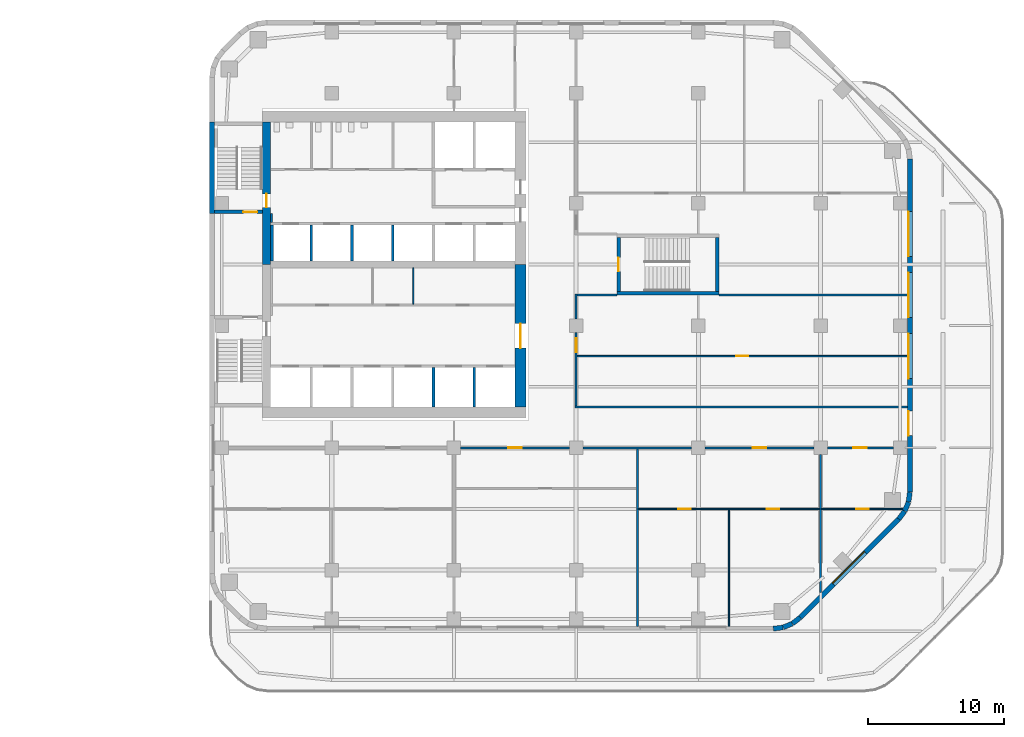
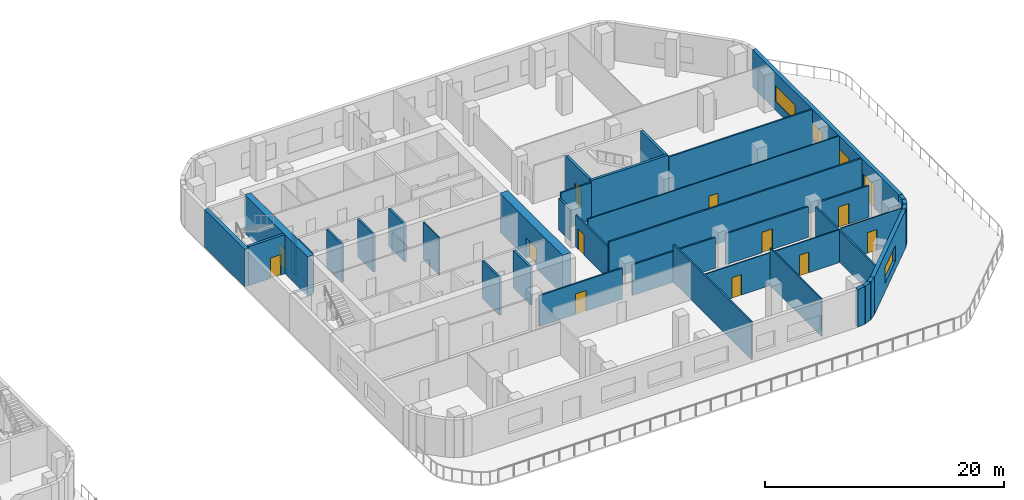
# One storey, part 9 of 15: 38 walls, 13 doors, 4 windows, 17 openings.
"""IFC4 building model written with IfcOpenShell, lengths in metres."""

from ifc_helpers import new_model, si_unit, direction, frame, frame_2d, origin, place, context, subcontext, project, spatial, rectangle, extrude, material, layer, layer_set, type_object, element, fill, save


model = new_model("IFC4")

# Units and contexts
model_context = context("Model", 3, precision=1e-05, world=origin(), true_north=direction((0.0, 1.0)))
body_context = subcontext(model_context, "Body", "Model", "MODEL_VIEW")
ifc_project = project(units=[si_unit("LENGTHUNIT", "METRE"), si_unit("AREAUNIT", "SQUARE_METRE"), si_unit("VOLUMEUNIT", "CUBIC_METRE"), si_unit("PLANEANGLEUNIT", "RADIAN"), si_unit("MASSUNIT", "GRAM", prefix="KILO")], contexts=[model_context])

# Site, building, storey
site_placement = place(None, origin())
site = spatial("IfcSite", under=ifc_project, at=site_placement, CompositionType="ELEMENT")
building_placement = place(site_placement, origin())
building = spatial("IfcBuilding", under=site, at=building_placement, Name="Cinnabar Reach Civic Tower", CompositionType="ELEMENT")
storey_placement = place(building_placement, frame((0.0, 0.0, 100.0)))
storey = spatial("IfcBuildingStorey", under=building, at=storey_placement, Name="L23", CompositionType="ELEMENT", Elevation=100.0)

# Walls
ifc_material_1 = material(Name="Facing brick with insulated backing", Category="masonry")
ifc_layer_1 = layer(ifc_material_1, 0.36)
ifc_layer_set_1 = layer_set([ifc_layer_1], Name="Brick corner wall")
wall_type_1 = type_object("IfcWallType", Name="Brick corner wall", PredefinedType="STANDARD", material=ifc_layer_set_1)
for number, where, z_axis, x_axis, name in (
    (1, (41.5186, 4.683, 0.0), (0.0, 0.0, 1.0), (0.99144092581, 0.13055608231, 0.0), "Brick corner wall"),
    (2, (42.2473, 4.7819, 0.0), (0.0, 0.0, 1.0), (0.923871547278, 0.382702709855, 0.0), "Brick corner wall"),
):
    element("IfcWall", number, at=place(storey_placement, frame(where, z_axis=z_axis, x_axis=x_axis)), inside=storey, type_object=wall_type_1, Name=name, PredefinedType="STANDARD", context=body_context, shape_type="SweptSolid", body=[
        extrude(rectangle(XDim=0.7131, YDim=0.36, at=frame_2d((0.3565, 0.0))), origin(), (0.0, 0.0, 1.0), 3.85),
    ])
for number, where, z_axis, x_axis, name in (
    (3, (42.9255, 5.066, 0.0), (0.0, 0.0, 1.0), (0.793321924995, 0.608802368033, 0.0), "Brick corner wall"),
    (4, (50.7498, 12.7587, 0.0), (0.0, 0.0, 1.0), (0.608802368033, 0.793321924995, 0.0), "Brick corner wall"),
):
    element("IfcWall", number, at=place(storey_placement, frame(where, z_axis=z_axis, x_axis=x_axis)), inside=storey, type_object=wall_type_1, Name=name, PredefinedType="STANDARD", context=body_context, shape_type="SweptSolid", body=[
        extrude(rectangle(XDim=0.7132, YDim=0.36, at=frame_2d((0.3566, 0.0))), origin(), (0.0, 0.0, 1.0), 3.85),
    ])
for number, where, z_axis, x_axis, name in (
    (5, (51.1952, 13.3439, 0.0), (0.0, 0.0, 1.0), (0.382702709855, 0.923871547278, 0.0), "Brick corner wall"),
    (6, (51.4739, 14.0244, 0.0), (0.0, 0.0, 1.0), (0.13055608231, 0.99144092581, 0.0), "Brick corner wall"),
):
    element("IfcWall", number, at=place(storey_placement, frame(where, z_axis=z_axis, x_axis=x_axis)), inside=storey, type_object=wall_type_1, Name=name, PredefinedType="STANDARD", context=body_context, shape_type="SweptSolid", body=[
        extrude(rectangle(XDim=0.7131, YDim=0.36, at=frame_2d((0.3565, 0.0))), origin(), (0.0, 0.0, 1.0), 3.85),
    ])

# Wall, opening, window
ifc_layer_2 = layer(ifc_material_1, 0.36)
ifc_layer_set_2 = layer_set([ifc_layer_2], Name="Brick pier and spandrel wall")
wall_type_2 = type_object("IfcWallType", Name="Brick pier and spandrel wall", PredefinedType="STANDARD", material=ifc_layer_set_2)
wall_1_placement = place(storey_placement, frame((43.5014, 5.506, 0.0), z_axis=(0.0, 0.0, 1.0), x_axis=(0.707106781187, 0.707106781187, 0.0)))
wall_1 = element("IfcWall", 7, at=wall_1_placement, inside=storey, type_object=wall_type_2, Name="Brick facade wall", PredefinedType="STANDARD", context=body_context, shape_type="SweptSolid", body=[
    extrude(rectangle(XDim=10.2426, YDim=0.36, at=frame_2d((5.1213, 0.0))), origin(), (0.0, 0.0, 1.0), 3.85),
])
opening_1_placement = place(wall_1_placement, frame((3.4713, 0.0, 0.9)))
opening_1 = element("IfcOpeningElement", 8, at=opening_1_placement, cuts=wall_1, Name="Opening W1487", PredefinedType="OPENING", context=body_context, shape_type="SweptSolid", body=[
    extrude(rectangle(XDim=3.3, YDim=1.6, at=frame_2d((1.65, 0.8))), frame((0.0, 0.19, 0.0), z_axis=(0.0, -1.0, 0.0), x_axis=(1.0, 0.0, 0.0)), (0.0, 0.0, 1.0), 0.38),
])
ifc_material_2 = material(Name="Clear double glazing in aluminium frame", Category="aluminium")
window_type = type_object("IfcWindowType", Name="Deep-set window A", PartitioningType="SINGLE_PANEL", PredefinedType="WINDOW", material=ifc_material_2)
window_1_placement = place(opening_1_placement, origin())
window_1 = element("IfcWindow", 9, at=window_1_placement, inside=storey, type_object=window_type, Name="Window southeast face", OverallHeight=1.6, OverallWidth=3.3, PartitioningType="SINGLE_PANEL", PredefinedType="WINDOW", context=body_context, shape_type="SweptSolid", body=[
    extrude(rectangle(XDim=3.3, YDim=1.6, at=frame_2d((1.65, 0.8))), frame((0.0, 0.13, 0.0), z_axis=(0.0, -1.0, 0.0), x_axis=(1.0, 0.0, 0.0)), (0.0, 0.0, 1.0), 0.06),
])
fill(opening_1, window_1)

# Wall, openings, windows, door
wall_2_placement = place(storey_placement, frame((51.57, 14.7426, 0.0), z_axis=(0.0, 0.0, 1.0), x_axis=(0.0, 1.0, 0.0)))
wall_2 = element("IfcWall", 10, at=wall_2_placement, inside=storey, type_object=wall_type_2, Name="Brick facade wall", PredefinedType="STANDARD", context=body_context, shape_type="SweptSolid", body=[
    extrude(rectangle(XDim=24.5148, YDim=0.36, at=frame_2d((12.2574, 0.0))), origin(), (0.0, 0.0, 1.0), 3.85),
])
opening_2_placement = place(wall_2_placement, frame((4.1574, 0.0, 0.0)))
opening_2 = element("IfcOpeningElement", 11, at=opening_2_placement, cuts=wall_2, Name="Opening D7505", PredefinedType="OPENING", context=body_context, shape_type="SweptSolid", body=[
    extrude(rectangle(XDim=1.8, YDim=2.4, at=frame_2d((0.9, 1.2))), frame((0.0, 0.19, 0.0), z_axis=(0.0, -1.0, 0.0), x_axis=(1.0, 0.0, 0.0)), (0.0, 0.0, 1.0), 0.38),
])
opening_3_placement = place(wall_2_placement, frame((8.3574, 0.0, 0.9)))
opening_3 = element("IfcOpeningElement", 12, at=opening_3_placement, cuts=wall_2, Name="Opening W1488", PredefinedType="OPENING", context=body_context, shape_type="SweptSolid", body=[
    extrude(rectangle(XDim=3.3, YDim=1.6, at=frame_2d((1.65, 0.8))), frame((0.0, 0.19, 0.0), z_axis=(0.0, -1.0, 0.0), x_axis=(1.0, 0.0, 0.0)), (0.0, 0.0, 1.0), 0.38),
])
opening_4_placement = place(wall_2_placement, frame((12.8574, 0.0, 0.9)))
opening_4 = element("IfcOpeningElement", 13, at=opening_4_placement, cuts=wall_2, Name="Opening W1489", PredefinedType="OPENING", context=body_context, shape_type="SweptSolid", body=[
    extrude(rectangle(XDim=3.3, YDim=1.6, at=frame_2d((1.65, 0.8))), frame((0.0, 0.19, 0.0), z_axis=(0.0, -1.0, 0.0), x_axis=(1.0, 0.0, 0.0)), (0.0, 0.0, 1.0), 0.38),
])
opening_5_placement = place(wall_2_placement, frame((17.3574, 0.0, 0.9)))
opening_5 = element("IfcOpeningElement", 14, at=opening_5_placement, cuts=wall_2, Name="Opening W1490", PredefinedType="OPENING", context=body_context, shape_type="SweptSolid", body=[
    extrude(rectangle(XDim=3.3, YDim=1.6, at=frame_2d((1.65, 0.8))), frame((0.0, 0.19, 0.0), z_axis=(0.0, -1.0, 0.0), x_axis=(1.0, 0.0, 0.0)), (0.0, 0.0, 1.0), 0.38),
])
window_2_placement = place(opening_3_placement, origin())
window_2 = element("IfcWindow", 15, at=window_2_placement, inside=storey, type_object=window_type, Name="Window east face", OverallHeight=1.6, OverallWidth=3.3, PartitioningType="SINGLE_PANEL", PredefinedType="WINDOW", context=body_context, shape_type="SweptSolid", body=[
    extrude(rectangle(XDim=3.3, YDim=1.6, at=frame_2d((1.65, 0.8))), frame((0.0, 0.13, 0.0), z_axis=(0.0, -1.0, 0.0), x_axis=(1.0, 0.0, 0.0)), (0.0, 0.0, 1.0), 0.06),
])
fill(opening_3, window_2)
window_3_placement = place(opening_4_placement, origin())
window_3 = element("IfcWindow", 16, at=window_3_placement, inside=storey, type_object=window_type, Name="Window east face", OverallHeight=1.6, OverallWidth=3.3, PartitioningType="SINGLE_PANEL", PredefinedType="WINDOW", context=body_context, shape_type="SweptSolid", body=[
    extrude(rectangle(XDim=3.3, YDim=1.6, at=frame_2d((1.65, 0.8))), frame((0.0, 0.13, 0.0), z_axis=(0.0, -1.0, 0.0), x_axis=(1.0, 0.0, 0.0)), (0.0, 0.0, 1.0), 0.06),
])
fill(opening_4, window_3)
window_4_placement = place(opening_5_placement, origin())
window_4 = element("IfcWindow", 17, at=window_4_placement, inside=storey, type_object=window_type, Name="Window east face", OverallHeight=1.6, OverallWidth=3.3, PartitioningType="SINGLE_PANEL", PredefinedType="WINDOW", context=body_context, shape_type="SweptSolid", body=[
    extrude(rectangle(XDim=3.3, YDim=1.6, at=frame_2d((1.65, 0.8))), frame((0.0, 0.13, 0.0), z_axis=(0.0, -1.0, 0.0), x_axis=(1.0, 0.0, 0.0)), (0.0, 0.0, 1.0), 0.06),
])
fill(opening_5, window_4)
ifc_material_3 = material(Name="Clear glazing in aluminium frame", Category="aluminium")
door_type_1 = type_object("IfcDoorType", Name="Facade terrace double door", OperationType="SINGLE_SWING_LEFT", PredefinedType="DOOR", material=ifc_material_3)
door_1_placement = place(opening_2_placement, frame((1.8, 0.0, 0.0), z_axis=(0.0, 0.0, 1.0), x_axis=(-1.0, 0.0, 0.0)))
door_1 = element("IfcDoor", 18, at=door_1_placement, inside=storey, type_object=door_type_1, Name="Terrace door", OperationType="DOUBLE_DOOR_SINGLE_SWING", OverallHeight=2.4, OverallWidth=1.8, PredefinedType="DOOR", context=body_context, shape_type="SweptSolid", body=[
    extrude(rectangle(XDim=1.8, YDim=2.4, at=frame_2d((0.9, 1.2))), frame((0.0, -0.07, 0.0), z_axis=(0.0, -1.0, 0.0), x_axis=(1.0, 0.0, 0.0)), (0.0, 0.0, 1.0), 0.05),
])
fill(opening_2, door_1)

# Wall
wall_3_placement = place(storey_placement, frame((0.18, 42.0, 0.0), z_axis=(0.0, 0.0, 1.0), x_axis=(0.0, -1.0, 0.0)))
element("IfcWall", 19, at=wall_3_placement, inside=storey, type_object=wall_type_2, Name="Brick facade wall", PredefinedType="STANDARD", context=body_context, shape_type="SweptSolid", body=[
    extrude(rectangle(XDim=6.75, YDim=0.36, at=frame_2d((3.375, 0.0))), origin(), (0.0, 0.0, 1.0), 3.85),
])

# Wall, opening, door
ifc_material_4 = material(Name="Concrete C70", Category="concrete")
ifc_layer_3 = layer(ifc_material_4, 0.6)
ifc_layer_set_3 = layer_set([ifc_layer_3], Name="Core wall 600 EI 180")
wall_type_3 = type_object("IfcWallType", Name="Core wall 600 EI 180", PredefinedType="SOLIDWALL", material=ifc_layer_set_3)
wall_4_placement = place(storey_placement, frame((4.2, 42.0, 0.0), z_axis=(0.0, 0.0, 1.0), x_axis=(0.0, -1.0, 0.0)))
wall_4 = element("IfcWall", 20, at=wall_4_placement, inside=storey, type_object=wall_type_3, Name="Core wall T1 L23 W", PredefinedType="SOLIDWALL", context=body_context, shape_type="SweptSolid", body=[
    extrude(rectangle(XDim=10.5, YDim=0.6, at=frame_2d((5.25, 0.0))), origin(), (0.0, 0.0, 1.0), 4.0),
])
opening_6_placement = place(wall_4_placement, frame((5.3, 0.0, 0.0)))
opening_6 = element("IfcOpeningElement", 21, at=opening_6_placement, cuts=wall_4, Name="Opening D3919", PredefinedType="OPENING", context=body_context, shape_type="SweptSolid", body=[
    extrude(rectangle(XDim=1.0, YDim=2.1, at=frame_2d((0.5, 1.05))), frame((0.0, 0.31, 0.0), z_axis=(0.0, -1.0, 0.0), x_axis=(1.0, 0.0, 0.0)), (0.0, 0.0, 1.0), 0.62),
])
ifc_material_5 = material(Name="Timber door leaf in steel frame", Category="steel")
door_type_2 = type_object("IfcDoorType", Name="Stair door 1000 x 2100 T1", OperationType="SINGLE_SWING_LEFT", PredefinedType="DOOR", material=ifc_material_5)
door_2_placement = place(opening_6_placement, frame((1.0, 0.0, 0.0), z_axis=(0.0, 0.0, 1.0), x_axis=(-1.0, 0.0, 0.0)))
door_2 = element("IfcDoor", 22, at=door_2_placement, inside=storey, type_object=door_type_2, Name="Door D3919", OperationType="SINGLE_SWING_LEFT", OverallHeight=2.1, OverallWidth=1.0, PredefinedType="DOOR", context=body_context, shape_type="SweptSolid", body=[
    extrude(rectangle(XDim=1.0, YDim=2.1, at=frame_2d((0.5, 1.05))), frame((0.0, 0.025, 0.0), z_axis=(0.0, -1.0, 0.0), x_axis=(1.0, 0.0, 0.0)), (0.0, 0.0, 1.0), 0.05),
])
fill(opening_6, door_2)

ifc_layer_4 = layer(ifc_material_4, 0.8)
ifc_layer_set_4 = layer_set([ifc_layer_4], Name="Core wall 800 EI 180")
wall_type_4 = type_object("IfcWallType", Name="Core wall 800 EI 180", PredefinedType="SOLIDWALL", material=ifc_layer_set_4)
wall_5_placement = place(storey_placement, frame((22.9, 21.0, 0.0), z_axis=(0.0, 0.0, 1.0), x_axis=(0.0, 1.0, 0.0)))
wall_5 = element("IfcWall", 23, at=wall_5_placement, inside=storey, type_object=wall_type_4, Name="Core wall T1 L23 E", PredefinedType="SOLIDWALL", context=body_context, shape_type="SweptSolid", body=[
    extrude(rectangle(XDim=10.5, YDim=0.8, at=frame_2d((5.25, 0.0))), origin(), (0.0, 0.0, 1.0), 4.0),
])
opening_7_placement = place(wall_5_placement, frame((4.35, 0.0, 0.0)))
opening_7 = element("IfcOpeningElement", 24, at=opening_7_placement, cuts=wall_5, Name="Opening D3933", PredefinedType="OPENING", context=body_context, shape_type="SweptSolid", body=[
    extrude(rectangle(XDim=1.8, YDim=2.1, at=frame_2d((0.9, 1.05))), frame((0.0, 0.41, 0.0), z_axis=(0.0, -1.0, 0.0), x_axis=(1.0, 0.0, 0.0)), (0.0, 0.0, 1.0), 0.82),
])
door_type_3 = type_object("IfcDoorType", Name="Double swing door 1800 x 2100 T1", OperationType="DOUBLE_DOOR_DOUBLE_SWING", PredefinedType="DOOR", material=ifc_material_5)
door_3_placement = place(opening_7_placement, origin())
door_3 = element("IfcDoor", 25, at=door_3_placement, inside=storey, type_object=door_type_3, Name="Door D3933", OperationType="DOUBLE_DOOR_DOUBLE_SWING", OverallHeight=2.1, OverallWidth=1.8, PredefinedType="DOOR", context=body_context, shape_type="SweptSolid", body=[
    extrude(rectangle(XDim=1.8, YDim=2.1, at=frame_2d((0.9, 1.05))), frame((0.0, 0.025, 0.0), z_axis=(0.0, -1.0, 0.0), x_axis=(1.0, 0.0, 0.0)), (0.0, 0.0, 1.0), 0.05),
])
fill(opening_7, door_3)

ifc_material_6 = material(Name="Gypsum board on steel studs, double layer", Category="steel")
ifc_layer_5 = layer(ifc_material_6, 0.15)
ifc_layer_set_5 = layer_set([ifc_layer_5], Name="Corridor wall 150 T1")
wall_type_5 = type_object("IfcWallType", Name="Corridor wall 150 T1", PredefinedType="PARTITIONING", material=ifc_layer_set_5)
wall_6_placement = place(storey_placement, frame((45.5, 18.0, 0.0), z_axis=(0.0, 0.0, 1.0), x_axis=(1.0, 0.0, 0.0)))
wall_6 = element("IfcWall", 26, at=wall_6_placement, inside=storey, type_object=wall_type_5, Name="Corridor wall 19", PredefinedType="PARTITIONING", context=body_context, shape_type="SweptSolid", body=[
    extrude(rectangle(XDim=4.85, YDim=0.15, at=frame_2d((2.425, 0.0))), origin(), (0.0, 0.0, 1.0), 3.254),
])
opening_8_placement = place(wall_6_placement, frame((1.9, 0.0, 0.0)))
opening_8 = element("IfcOpeningElement", 27, at=opening_8_placement, cuts=wall_6, Name="Opening D3957", PredefinedType="OPENING", context=body_context, shape_type="SweptSolid", body=[
    extrude(rectangle(XDim=1.0, YDim=2.1, at=frame_2d((0.5, 1.05))), frame((0.0, 0.085, 0.0), z_axis=(0.0, -1.0, 0.0), x_axis=(1.0, 0.0, 0.0)), (0.0, 0.0, 1.0), 0.17),
])
door_type_4 = type_object("IfcDoorType", Name="Tenancy entrance door 1000 x 2100 T1", OperationType="SINGLE_SWING_LEFT", PredefinedType="DOOR", material=ifc_material_5)
door_4_placement = place(opening_8_placement, frame((1.0, 0.0, 0.0), z_axis=(0.0, 0.0, 1.0), x_axis=(-1.0, 0.0, 0.0)))
door_4 = element("IfcDoor", 28, at=door_4_placement, inside=storey, type_object=door_type_4, Name="Door D3957", OperationType="SINGLE_SWING_LEFT", OverallHeight=2.1, OverallWidth=1.0, PredefinedType="DOOR", context=body_context, shape_type="SweptSolid", body=[
    extrude(rectangle(XDim=1.0, YDim=2.1, at=frame_2d((0.5, 1.05))), frame((0.0, 0.025, 0.0), z_axis=(0.0, -1.0, 0.0), x_axis=(1.0, 0.0, 0.0)), (0.0, 0.0, 1.0), 0.05),
])
fill(opening_8, door_4)

wall_7_placement = place(storey_placement, frame((36.5, 18.0, 0.0), z_axis=(0.0, 0.0, 1.0), x_axis=(1.0, 0.0, 0.0)))
wall_7 = element("IfcWall", 29, at=wall_7_placement, inside=storey, type_object=wall_type_5, Name="Corridor wall 20", PredefinedType="PARTITIONING", context=body_context, shape_type="SweptSolid", body=[
    extrude(rectangle(XDim=8.0, YDim=0.15, at=frame_2d((4.0, 0.0))), origin(), (0.0, 0.0, 1.0), 3.158),
])
opening_9_placement = place(wall_7_placement, frame((3.5, 0.0, 0.0)))
opening_9 = element("IfcOpeningElement", 30, at=opening_9_placement, cuts=wall_7, Name="Opening D3954", PredefinedType="OPENING", context=body_context, shape_type="SweptSolid", body=[
    extrude(rectangle(XDim=1.0, YDim=2.1, at=frame_2d((0.5, 1.05))), frame((0.0, 0.085, 0.0), z_axis=(0.0, -1.0, 0.0), x_axis=(1.0, 0.0, 0.0)), (0.0, 0.0, 1.0), 0.17),
])
door_5_placement = place(opening_9_placement, frame((1.0, 0.0, 0.0), z_axis=(0.0, 0.0, 1.0), x_axis=(-1.0, 0.0, 0.0)))
door_5 = element("IfcDoor", 31, at=door_5_placement, inside=storey, type_object=door_type_4, Name="Door D3954", OperationType="SINGLE_SWING_RIGHT", OverallHeight=2.1, OverallWidth=1.0, PredefinedType="DOOR", context=body_context, shape_type="SweptSolid", body=[
    extrude(rectangle(XDim=1.0, YDim=2.1, at=frame_2d((0.5, 1.05))), frame((0.0, 0.025, 0.0), z_axis=(0.0, -1.0, 0.0), x_axis=(1.0, 0.0, 0.0)), (0.0, 0.0, 1.0), 0.05),
])
fill(opening_9, door_5)

# Wall
wall_8_placement = place(storey_placement, frame((27.5, 18.0, 0.0), z_axis=(0.0, 0.0, 1.0), x_axis=(1.0, 0.0, 0.0)))
element("IfcWall", 32, at=wall_8_placement, inside=storey, type_object=wall_type_5, Name="Corridor wall 21", PredefinedType="PARTITIONING", context=body_context, shape_type="SweptSolid", body=[
    extrude(rectangle(XDim=8.0, YDim=0.15, at=frame_2d((4.0, 0.0))), origin(), (0.0, 0.0, 1.0), 3.158),
])

# Wall, opening, door
wall_9_placement = place(storey_placement, frame((18.5, 18.0, 0.0), z_axis=(0.0, 0.0, 1.0), x_axis=(1.0, 0.0, 0.0)))
wall_9 = element("IfcWall", 33, at=wall_9_placement, inside=storey, type_object=wall_type_5, Name="Corridor wall 22", PredefinedType="PARTITIONING", context=body_context, shape_type="SweptSolid", body=[
    extrude(rectangle(XDim=8.0, YDim=0.15, at=frame_2d((4.0, 0.0))), origin(), (0.0, 0.0, 1.0), 3.158),
])
opening_10_placement = place(wall_9_placement, frame((3.5, 0.0, 0.0)))
opening_10 = element("IfcOpeningElement", 34, at=opening_10_placement, cuts=wall_9, Name="Opening D3952", PredefinedType="OPENING", context=body_context, shape_type="SweptSolid", body=[
    extrude(rectangle(XDim=1.0, YDim=2.1, at=frame_2d((0.5, 1.05))), frame((0.0, 0.085, 0.0), z_axis=(0.0, -1.0, 0.0), x_axis=(1.0, 0.0, 0.0)), (0.0, 0.0, 1.0), 0.17),
])
door_6_placement = place(opening_10_placement, frame((1.0, 0.0, 0.0), z_axis=(0.0, 0.0, 1.0), x_axis=(-1.0, 0.0, 0.0)))
door_6 = element("IfcDoor", 35, at=door_6_placement, inside=storey, type_object=door_type_4, Name="Door D3952", OperationType="SINGLE_SWING_LEFT", OverallHeight=2.1, OverallWidth=1.0, PredefinedType="DOOR", context=body_context, shape_type="SweptSolid", body=[
    extrude(rectangle(XDim=1.0, YDim=2.1, at=frame_2d((0.5, 1.05))), frame((0.0, 0.025, 0.0), z_axis=(0.0, -1.0, 0.0), x_axis=(1.0, 0.0, 0.0)), (0.0, 0.0, 1.0), 0.05),
])
fill(opening_10, door_6)

# Wall
wall_10_placement = place(storey_placement, frame((26.925, 21.0, 0.0), z_axis=(0.0, 0.0, 1.0), x_axis=(1.0, 0.0, 0.0)))
element("IfcWall", 36, at=wall_10_placement, inside=storey, type_object=wall_type_5, Name="Corridor wall 25", PredefinedType="PARTITIONING", context=body_context, shape_type="SweptSolid", body=[
    extrude(rectangle(XDim=24.465, YDim=0.15, at=frame_2d((12.2325, 0.0))), origin(), (0.0, 0.0, 1.0), 3.85),
])

# Wall, opening, door
wall_11_placement = place(storey_placement, frame((27.0, 21.075, 0.0), z_axis=(0.0, 0.0, 1.0), x_axis=(0.0, 1.0, 0.0)))
wall_11 = element("IfcWall", 37, at=wall_11_placement, inside=storey, type_object=wall_type_5, Name="Corridor wall 31", PredefinedType="PARTITIONING", context=body_context, shape_type="SweptSolid", body=[
    extrude(rectangle(XDim=5.425, YDim=0.15, at=frame_2d((2.7125, 0.0))), origin(), (0.0, 0.0, 1.0), 3.256),
])
opening_11_placement = place(wall_11_placement, frame((3.975, 0.0, 0.0)))
opening_11 = element("IfcOpeningElement", 38, at=opening_11_placement, cuts=wall_11, Name="Opening D3947", PredefinedType="OPENING", context=body_context, shape_type="SweptSolid", body=[
    extrude(rectangle(XDim=1.0, YDim=2.1, at=frame_2d((0.5, 1.05))), frame((0.0, 0.085, 0.0), z_axis=(0.0, -1.0, 0.0), x_axis=(1.0, 0.0, 0.0)), (0.0, 0.0, 1.0), 0.17),
])
door_7_placement = place(opening_11_placement, frame((1.0, 0.0, 0.0), z_axis=(0.0, 0.0, 1.0), x_axis=(-1.0, 0.0, 0.0)))
door_7 = element("IfcDoor", 39, at=door_7_placement, inside=storey, type_object=door_type_4, Name="Door D3947", OperationType="SINGLE_SWING_RIGHT", OverallHeight=2.1, OverallWidth=1.0, PredefinedType="DOOR", context=body_context, shape_type="SweptSolid", body=[
    extrude(rectangle(XDim=1.0, YDim=2.1, at=frame_2d((0.5, 1.05))), frame((0.0, 0.025, 0.0), z_axis=(0.0, -1.0, 0.0), x_axis=(1.0, 0.0, 0.0)), (0.0, 0.0, 1.0), 0.05),
])
fill(opening_11, door_7)

# Walls
wall_12_placement = place(storey_placement, frame((27.0, 27.5, 0.0), z_axis=(0.0, 0.0, 1.0), x_axis=(0.0, 1.0, 0.0)))
element("IfcWall", 40, at=wall_12_placement, inside=storey, type_object=wall_type_5, Name="Corridor wall 32", PredefinedType="PARTITIONING", context=body_context, shape_type="SweptSolid", body=[
    extrude(rectangle(XDim=1.825, YDim=0.15, at=frame_2d((0.9125, 0.0))), origin(), (0.0, 0.0, 1.0), 3.256),
])
wall_13_placement = place(storey_placement, frame((27.075, 29.25, 0.0), z_axis=(0.0, 0.0, 1.0), x_axis=(1.0, 0.0, 0.0)))
element("IfcWall", 41, at=wall_13_placement, inside=storey, type_object=wall_type_5, Name="Corridor wall 36", PredefinedType="PARTITIONING", context=body_context, shape_type="SweptSolid", body=[
    extrude(rectangle(XDim=2.925, YDim=0.15, at=frame_2d((1.4625, 0.0))), origin(), (0.0, 0.0, 1.0), 3.85),
])
wall_14_placement = place(storey_placement, frame((4.575, 34.6, 0.0), z_axis=(0.0, 0.0, 1.0), x_axis=(0.0, 1.0, 0.0)))
element("IfcWall", 42, at=wall_14_placement, inside=storey, type_object=wall_type_5, Name="Corridor wall 38", PredefinedType="PARTITIONING", context=body_context, shape_type="SweptSolid", body=[
    extrude(rectangle(XDim=0.65, YDim=0.15, at=frame_2d((0.325, 0.0))), origin(), (0.0, 0.0, 1.0), 3.85),
])
ifc_material_7 = material(Name="Blockwork", Category="masonry")
ifc_layer_6 = layer(ifc_material_7, 0.2)
ifc_layer_set_6 = layer_set([ifc_layer_6], Name="Lift shaft wall 200 T1")
wall_type_6 = type_object("IfcWallType", Name="Lift shaft wall 200 T1", PredefinedType="PARTITIONING", material=ifc_layer_set_6)
for number, where, z_axis, x_axis, name in (
    (43, (4.6, 31.75, 0.0), (0.0, 0.0, 1.0), (0.0, 1.0, 0.0), "Lift shaft wall 8"),
    (44, (7.5, 31.75, 0.0), (0.0, 0.0, 1.0), (0.0, 1.0, 0.0), "Lift shaft wall 10"),
    (45, (10.5, 31.75, 0.0), (0.0, 0.0, 1.0), (0.0, 1.0, 0.0), "Lift shaft wall 12"),
    (46, (13.5, 31.75, 0.0), (0.0, 0.0, 1.0), (0.0, 1.0, 0.0), "Lift shaft wall 14"),
):
    element("IfcWall", number, at=place(storey_placement, frame(where, z_axis=z_axis, x_axis=x_axis)), inside=storey, type_object=wall_type_6, Name=name, PredefinedType="PARTITIONING", context=body_context, shape_type="SweptSolid", body=[
        extrude(rectangle(XDim=2.65, YDim=0.2, at=frame_2d((1.325, 0.0))), origin(), (0.0, 0.0, 1.0), 3.85),
    ])
for number, where, z_axis, x_axis, name in (
    (47, (16.5, 21.0, 0.0), (0.0, 0.0, 1.0), (0.0, 1.0, 0.0), "Lift shaft wall 15"),
    (48, (19.5, 21.0, 0.0), (0.0, 0.0, 1.0), (0.0, 1.0, 0.0), "Lift shaft wall 17"),
):
    element("IfcWall", number, at=place(storey_placement, frame(where, z_axis=z_axis, x_axis=x_axis)), inside=storey, type_object=wall_type_6, Name=name, PredefinedType="PARTITIONING", context=body_context, shape_type="SweptSolid", body=[
        extrude(rectangle(XDim=2.9, YDim=0.2, at=frame_2d((1.45, 0.0))), origin(), (0.0, 0.0, 1.0), 3.85),
    ])

# Wall, opening, door
ifc_material_8 = material(Name="Gypsum board on steel studs", Category="steel")
ifc_layer_7 = layer(ifc_material_8, 0.1)
ifc_layer_set_7 = layer_set([ifc_layer_7], Name="Partition wall 100 T1")
wall_type_7 = type_object("IfcWallType", Name="Partition wall 100 T1", PredefinedType="PARTITIONING", material=ifc_layer_set_7)
wall_15_placement = place(storey_placement, frame((27.075, 24.75, 0.0), z_axis=(0.0, 0.0, 1.0), x_axis=(1.0, 0.0, 0.0)))
wall_15 = element("IfcWall", 49, at=wall_15_placement, inside=storey, type_object=wall_type_7, Name="Partition wall 45", PredefinedType="PARTITIONING", context=body_context, shape_type="SweptSolid", body=[
    extrude(rectangle(XDim=24.315, YDim=0.1, at=frame_2d((12.1575, 0.0))), origin(), (0.0, 0.0, 1.0), 3.85),
])
opening_12_placement = place(wall_15_placement, frame((11.7, 0.0, 0.0)))
opening_12 = element("IfcOpeningElement", 50, at=opening_12_placement, cuts=wall_15, Name="Opening D3948", PredefinedType="OPENING", context=body_context, shape_type="SweptSolid", body=[
    extrude(rectangle(XDim=0.9, YDim=2.1, at=frame_2d((0.45, 1.05))), frame((0.0, 0.06, 0.0), z_axis=(0.0, -1.0, 0.0), x_axis=(1.0, 0.0, 0.0)), (0.0, 0.0, 1.0), 0.12),
])
door_type_5 = type_object("IfcDoorType", Name="Single swing door 900 x 2100 T1", OperationType="SINGLE_SWING_LEFT", PredefinedType="DOOR", material=ifc_material_5)
door_8_placement = place(opening_12_placement, frame((0.9, 0.0, 0.0), z_axis=(0.0, 0.0, 1.0), x_axis=(-1.0, 0.0, 0.0)))
door_8 = element("IfcDoor", 51, at=door_8_placement, inside=storey, type_object=door_type_5, Name="Door D3948", OperationType="SINGLE_SWING_RIGHT", OverallHeight=2.1, OverallWidth=0.9, PredefinedType="DOOR", context=body_context, shape_type="SweptSolid", body=[
    extrude(rectangle(XDim=0.9, YDim=2.1, at=frame_2d((0.45, 1.05))), frame((0.0, 0.025, 0.0), z_axis=(0.0, -1.0, 0.0), x_axis=(1.0, 0.0, 0.0)), (0.0, 0.0, 1.0), 0.05),
])
fill(opening_12, door_8)

# Wall, openings, doors
wall_16_placement = place(storey_placement, frame((31.575, 13.5, 0.0), z_axis=(0.0, 0.0, 1.0), x_axis=(1.0, 0.0, 0.0)))
wall_16 = element("IfcWall", 52, at=wall_16_placement, inside=storey, type_object=wall_type_7, Name="Partition wall 47", PredefinedType="PARTITIONING", context=body_context, shape_type="SweptSolid", body=[
    extrude(rectangle(XDim=13.35, YDim=0.1, at=frame_2d((6.675, 0.0))), origin(), (0.0, 0.0, 1.0), 3.354),
])
opening_13_placement = place(wall_16_placement, frame((2.95, 0.0, 0.0)))
opening_13 = element("IfcOpeningElement", 53, at=opening_13_placement, cuts=wall_16, Name="Opening D3955", PredefinedType="OPENING", context=body_context, shape_type="SweptSolid", body=[
    extrude(rectangle(XDim=0.9, YDim=2.1, at=frame_2d((0.45, 1.05))), frame((0.0, 0.06, 0.0), z_axis=(0.0, -1.0, 0.0), x_axis=(1.0, 0.0, 0.0)), (0.0, 0.0, 1.0), 0.12),
])
opening_14_placement = place(wall_16_placement, frame((9.475, 0.0, 0.0)))
opening_14 = element("IfcOpeningElement", 54, at=opening_14_placement, cuts=wall_16, Name="Opening D3956", PredefinedType="OPENING", context=body_context, shape_type="SweptSolid", body=[
    extrude(rectangle(XDim=0.9, YDim=2.1, at=frame_2d((0.45, 1.05))), frame((0.0, 0.06, 0.0), z_axis=(0.0, -1.0, 0.0), x_axis=(1.0, 0.0, 0.0)), (0.0, 0.0, 1.0), 0.12),
])
door_9_placement = place(opening_13_placement, frame((0.9, 0.0, 0.0), z_axis=(0.0, 0.0, 1.0), x_axis=(-1.0, 0.0, 0.0)))
door_9 = element("IfcDoor", 55, at=door_9_placement, inside=storey, type_object=door_type_5, Name="Door D3955", OperationType="SINGLE_SWING_RIGHT", OverallHeight=2.1, OverallWidth=0.9, PredefinedType="DOOR", context=body_context, shape_type="SweptSolid", body=[
    extrude(rectangle(XDim=0.9, YDim=2.1, at=frame_2d((0.45, 1.05))), frame((0.0, 0.025, 0.0), z_axis=(0.0, -1.0, 0.0), x_axis=(1.0, 0.0, 0.0)), (0.0, 0.0, 1.0), 0.05),
])
fill(opening_13, door_9)
door_10_placement = place(opening_14_placement, frame((0.9, 0.0, 0.0), z_axis=(0.0, 0.0, 1.0), x_axis=(-1.0, 0.0, 0.0)))
door_10 = element("IfcDoor", 56, at=door_10_placement, inside=storey, type_object=door_type_5, Name="Door D3956", OperationType="SINGLE_SWING_RIGHT", OverallHeight=2.1, OverallWidth=0.9, PredefinedType="DOOR", context=body_context, shape_type="SweptSolid", body=[
    extrude(rectangle(XDim=0.9, YDim=2.1, at=frame_2d((0.45, 1.05))), frame((0.0, 0.025, 0.0), z_axis=(0.0, -1.0, 0.0), x_axis=(1.0, 0.0, 0.0)), (0.0, 0.0, 1.0), 0.05),
])
fill(opening_14, door_10)

# Wall, opening, door
wall_17_placement = place(storey_placement, frame((45.075, 13.5, 0.0), z_axis=(0.0, 0.0, 1.0), x_axis=(1.0, 0.0, 0.0)))
wall_17 = element("IfcWall", 57, at=wall_17_placement, inside=storey, type_object=wall_type_7, Name="Partition wall 48", PredefinedType="PARTITIONING", context=body_context, shape_type="SweptSolid", body=[
    extrude(rectangle(XDim=5.9693, YDim=0.1, at=frame_2d((2.9846, 0.0))), origin(), (0.0, 0.0, 1.0), 3.454),
])
opening_15_placement = place(wall_17_placement, frame((2.55, 0.0, 0.0)))
opening_15 = element("IfcOpeningElement", 58, at=opening_15_placement, cuts=wall_17, Name="Opening D3958", PredefinedType="OPENING", context=body_context, shape_type="SweptSolid", body=[
    extrude(rectangle(XDim=0.9, YDim=2.1, at=frame_2d((0.45, 1.05))), frame((0.0, 0.06, 0.0), z_axis=(0.0, -1.0, 0.0), x_axis=(1.0, 0.0, 0.0)), (0.0, 0.0, 1.0), 0.12),
])
door_11_placement = place(opening_15_placement, frame((0.9, 0.0, 0.0), z_axis=(0.0, 0.0, 1.0), x_axis=(-1.0, 0.0, 0.0)))
door_11 = element("IfcDoor", 59, at=door_11_placement, inside=storey, type_object=door_type_5, Name="Door D3958", OperationType="SINGLE_SWING_LEFT", OverallHeight=2.1, OverallWidth=0.9, PredefinedType="DOOR", context=body_context, shape_type="SweptSolid", body=[
    extrude(rectangle(XDim=0.9, YDim=2.1, at=frame_2d((0.45, 1.05))), frame((0.0, 0.025, 0.0), z_axis=(0.0, -1.0, 0.0), x_axis=(1.0, 0.0, 0.0)), (0.0, 0.0, 1.0), 0.05),
])
fill(opening_15, door_11)

# Walls
wall_18_placement = place(storey_placement, frame((38.25, 4.86, 0.0), z_axis=(0.0, 0.0, 1.0), x_axis=(0.0, 1.0, 0.0)))
element("IfcWall", 60, at=wall_18_placement, inside=storey, type_object=wall_type_7, Name="Partition wall 54", PredefinedType="PARTITIONING", context=body_context, shape_type="SweptSolid", body=[
    extrude(rectangle(XDim=8.59, YDim=0.1, at=frame_2d((4.295, 0.0))), origin(), (0.0, 0.0, 1.0), 3.85),
])
wall_19_placement = place(storey_placement, frame((15.0, 28.575, 0.0), z_axis=(0.0, 0.0, 1.0), x_axis=(0.0, 1.0, 0.0)))
element("IfcWall", 61, at=wall_19_placement, inside=storey, type_object=wall_type_7, Name="Partition wall 60", PredefinedType="PARTITIONING", context=body_context, shape_type="SweptSolid", body=[
    extrude(rectangle(XDim=2.675, YDim=0.1, at=frame_2d((1.3375, 0.0))), origin(), (0.0, 0.0, 1.0), 3.85),
])

# Wall, opening, door
ifc_material_9 = material(Name="Concrete C60", Category="concrete")
ifc_layer_8 = layer(ifc_material_9, 0.25)
ifc_layer_set_8 = layer_set([ifc_layer_8], Name="Stair shaft wall 250 EI 120")
wall_type_8 = type_object("IfcWallType", Name="Stair shaft wall 250 EI 120", PredefinedType="SOLIDWALL", material=ifc_layer_set_8)
wall_20_placement = place(storey_placement, frame((0.36, 35.375, 0.0), z_axis=(0.0, 0.0, 1.0), x_axis=(1.0, 0.0, 0.0)))
wall_20 = element("IfcWall", 62, at=wall_20_placement, inside=storey, type_object=wall_type_8, Name="Stair shaft wall T1-S2 L23", PredefinedType="SOLIDWALL", context=body_context, shape_type="SweptSolid", body=[
    extrude(rectangle(XDim=3.54, YDim=0.25, at=frame_2d((1.77, 0.0))), origin(), (0.0, 0.0, 1.0), 4.0),
])
opening_16_placement = place(wall_20_placement, frame((2.14, 0.0, 0.0)))
opening_16 = element("IfcOpeningElement", 63, at=opening_16_placement, cuts=wall_20, Name="Opening D3920", PredefinedType="OPENING", context=body_context, shape_type="SweptSolid", body=[
    extrude(rectangle(XDim=1.0, YDim=2.1, at=frame_2d((0.5, 1.05))), frame((0.0, 0.135, 0.0), z_axis=(0.0, -1.0, 0.0), x_axis=(1.0, 0.0, 0.0)), (0.0, 0.0, 1.0), 0.27),
])
door_12_placement = place(opening_16_placement, origin())
door_12 = element("IfcDoor", 64, at=door_12_placement, inside=storey, type_object=door_type_2, Name="Door D3920", OperationType="SINGLE_SWING_RIGHT", OverallHeight=2.1, OverallWidth=1.0, PredefinedType="DOOR", context=body_context, shape_type="SweptSolid", body=[
    extrude(rectangle(XDim=1.0, YDim=2.1, at=frame_2d((0.5, 1.05))), frame((0.0, 0.025, 0.0), z_axis=(0.0, -1.0, 0.0), x_axis=(1.0, 0.0, 0.0)), (0.0, 0.0, 1.0), 0.05),
])
fill(opening_16, door_12)

# Walls
wall_21_placement = place(storey_placement, frame((30.0, 29.375, 0.0), z_axis=(0.0, 0.0, 1.0), x_axis=(1.0, 0.0, 0.0)))
element("IfcWall", 65, at=wall_21_placement, inside=storey, type_object=wall_type_8, Name="Stair shaft wall T1-S3 L23", PredefinedType="SOLIDWALL", context=body_context, shape_type="SweptSolid", body=[
    extrude(rectangle(XDim=7.5, YDim=0.25, at=frame_2d((3.75, 0.0))), origin(), (0.0, 0.0, 1.0), 4.0),
])
wall_22_placement = place(storey_placement, frame((37.375, 29.5, 0.0), z_axis=(0.0, 0.0, 1.0), x_axis=(0.0, 1.0, 0.0)))
element("IfcWall", 66, at=wall_22_placement, inside=storey, type_object=wall_type_8, Name="Stair shaft wall T1-S3 L23", PredefinedType="SOLIDWALL", context=body_context, shape_type="SweptSolid", body=[
    extrude(rectangle(XDim=4.0, YDim=0.25, at=frame_2d((2.0, 0.0))), origin(), (0.0, 0.0, 1.0), 4.0),
])

# Wall, opening, door
wall_23_placement = place(storey_placement, frame((30.125, 33.5, 0.0), z_axis=(0.0, 0.0, 1.0), x_axis=(0.0, -1.0, 0.0)))
wall_23 = element("IfcWall", 67, at=wall_23_placement, inside=storey, type_object=wall_type_8, Name="Stair shaft wall T1-S3 L23", PredefinedType="SOLIDWALL", context=body_context, shape_type="SweptSolid", body=[
    extrude(rectangle(XDim=4.0, YDim=0.25, at=frame_2d((2.0, 0.0))), origin(), (0.0, 0.0, 1.0), 4.0),
])
opening_17_placement = place(wall_23_placement, frame((1.5, 0.0, 0.0)))
opening_17 = element("IfcOpeningElement", 68, at=opening_17_placement, cuts=wall_23, Name="Opening D3936", PredefinedType="OPENING", context=body_context, shape_type="SweptSolid", body=[
    extrude(rectangle(XDim=1.0, YDim=2.1, at=frame_2d((0.5, 1.05))), frame((0.0, 0.135, 0.0), z_axis=(0.0, -1.0, 0.0), x_axis=(1.0, 0.0, 0.0)), (0.0, 0.0, 1.0), 0.27),
])
door_13_placement = place(opening_17_placement, origin())
door_13 = element("IfcDoor", 69, at=door_13_placement, inside=storey, type_object=door_type_2, Name="Door D3936", OperationType="SINGLE_SWING_LEFT", OverallHeight=2.1, OverallWidth=1.0, PredefinedType="DOOR", context=body_context, shape_type="SweptSolid", body=[
    extrude(rectangle(XDim=1.0, YDim=2.1, at=frame_2d((0.5, 1.05))), frame((0.0, 0.025, 0.0), z_axis=(0.0, -1.0, 0.0), x_axis=(1.0, 0.0, 0.0)), (0.0, 0.0, 1.0), 0.05),
])
fill(opening_17, door_13)

# Walls
ifc_layer_9 = layer(ifc_material_6, 0.15)
ifc_layer_set_9 = layer_set([ifc_layer_9], Name="Tenancy separating wall 150 T1")
wall_type_9 = type_object("IfcWallType", Name="Tenancy separating wall 150 T1", PredefinedType="PARTITIONING", material=ifc_layer_set_9)
wall_24_placement = place(storey_placement, frame((37.5, 29.25, 0.0), z_axis=(0.0, 0.0, 1.0), x_axis=(1.0, 0.0, 0.0)))
element("IfcWall", 70, at=wall_24_placement, inside=storey, type_object=wall_type_9, Name="Tenancy separating wall 40", PredefinedType="PARTITIONING", context=body_context, shape_type="SweptSolid", body=[
    extrude(rectangle(XDim=13.89, YDim=0.15, at=frame_2d((6.945, 0.0))), origin(), (0.0, 0.0, 1.0), 3.85),
])
wall_25_placement = place(storey_placement, frame((31.5, 4.86, 0.0), z_axis=(0.0, 0.0, 1.0), x_axis=(0.0, 1.0, 0.0)))
element("IfcWall", 71, at=wall_25_placement, inside=storey, type_object=wall_type_9, Name="Tenancy separating wall 43", PredefinedType="PARTITIONING", context=body_context, shape_type="SweptSolid", body=[
    extrude(rectangle(XDim=13.065, YDim=0.15, at=frame_2d((6.5325, 0.0))), origin(), (0.0, 0.0, 1.0), 3.85),
])
wall_26_placement = place(storey_placement, frame((45.0, 7.334, 0.0), z_axis=(0.0, 0.0, 1.0), x_axis=(0.0, 1.0, 0.0)))
element("IfcWall", 72, at=wall_26_placement, inside=storey, type_object=wall_type_9, Name="Tenancy separating wall 44", PredefinedType="PARTITIONING", context=body_context, shape_type="SweptSolid", body=[
    extrude(rectangle(XDim=10.166, YDim=0.15, at=frame_2d((5.083, 0.0))), origin(), (0.0, 0.0, 1.0), 3.256),
])

save(model, "model.ifc")
